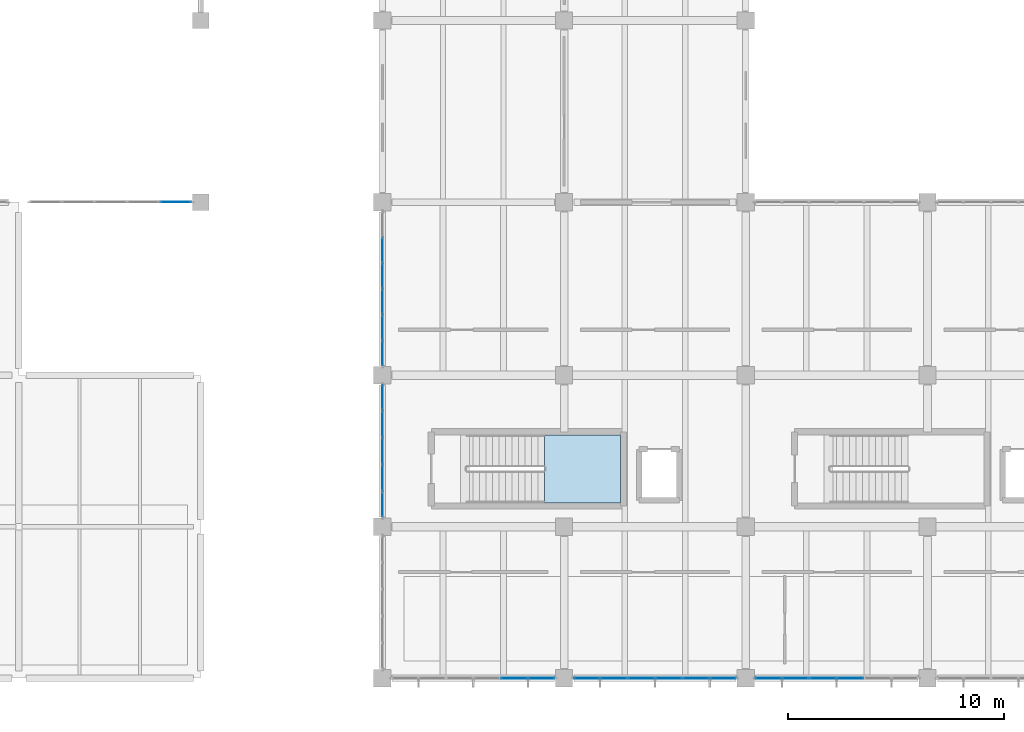
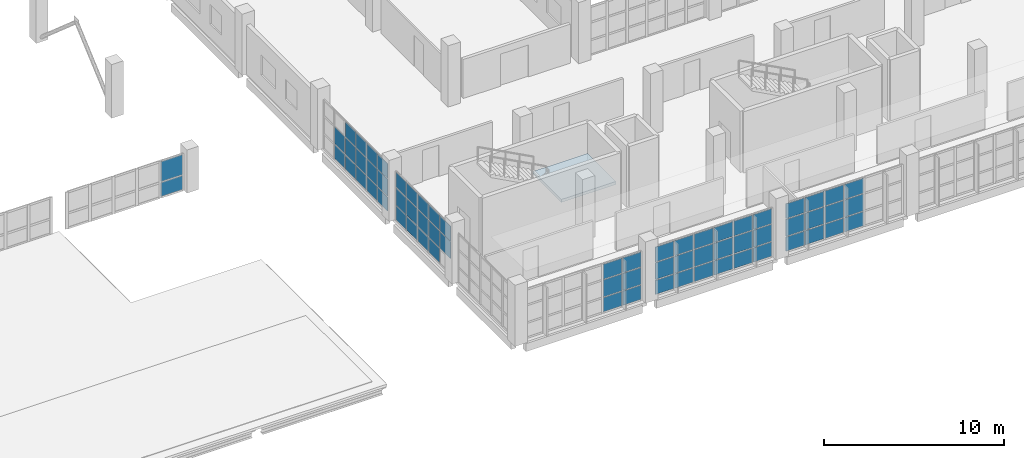
# One storey, part 121 of 177: 66 plates, 1 slab, 7 elements without a shape of their own.
"""IFC4 building model written with IfcOpenShell, lengths in metres."""

from ifc_helpers import new_model, si_unit, direction, frame, origin, origin_2d, place, context, subcontext, project, spatial, polyline, rectangle, outline, extrude, material, layer, layer_set, type_object, element, aggregate, save


model = new_model("IFC4")

# Units and contexts
model_context = context("Model", 3, precision=1e-05, world=origin(), true_north=direction((0.0, 1.0)))
body_context = subcontext(model_context, "Body", "Model", "MODEL_VIEW")
ifc_project = project(units=[si_unit("LENGTHUNIT", "METRE"), si_unit("AREAUNIT", "SQUARE_METRE"), si_unit("VOLUMEUNIT", "CUBIC_METRE"), si_unit("PLANEANGLEUNIT", "RADIAN"), si_unit("MASSUNIT", "GRAM", prefix="KILO"), si_unit("THERMODYNAMICTEMPERATUREUNIT", "KELVIN"), si_unit("POWERUNIT", "WATT")], contexts=[model_context])

# Site, building, storey
site_placement = place(None, origin())
site = spatial("IfcSite", under=ifc_project, at=site_placement, CompositionType="ELEMENT")
building_placement = place(site_placement, origin())
building = spatial("IfcBuilding", under=site, at=building_placement, Name="Mavoryth Pier Ferry Terminal", CompositionType="ELEMENT")
storey_placement = place(building_placement, frame((0.0, 0.0, 5.43994140625)))
storey = spatial("IfcBuildingStorey", under=building, at=storey_placement, Name="L01", CompositionType="ELEMENT", Elevation=5.43994140625)

# Curtain wall, plates
ifc_material_1 = material(Name="Anodised Aluminium and Solar-Control Low-E Glass", Category="aluminium")
ifc_layer_1 = layer(ifc_material_1, 0.179931640625, Name="Anodised Aluminium and Solar-Control Low-E Glass", Category="aluminium")
ifc_layer_set_1 = layer_set([ifc_layer_1], Name="Anodised Aluminium and Solar-Control Low-E Glass - CW-Concourse-Mod1400")
curtain_wall_type_1 = type_object("IfcCurtainWallType", Name="CW-Concourse-Mod1400", PredefinedType="USERDEFINED", material=ifc_layer_set_1)
curtain_wall_1_placement = place(storey_placement, origin())
curtain_wall_1 = element("IfcCurtainWall", 1, at=curtain_wall_1_placement, inside=storey, type_object=curtain_wall_type_1, Name="Curtain Wall CW-0133-048", ObjectType="UNITISED CURTAIN WALL", PredefinedType="USERDEFINED")
ifc_material_2 = material(Name="Solar-Control Low-E Laminated Double Glazing", Category="glass")
ifc_layer_2 = layer(ifc_material_2, 0.02392578125, Name="Solar-Control Low-E Laminated Double Glazing", Category="glass")
ifc_layer_set_2 = layer_set([ifc_layer_2], Name="Solar-Control Low-E Laminated Double Glazing - Panel-LowE-DGU-24")
plate_type_1 = type_object("IfcPlateType", Name="Panel-LowE-DGU-24", PredefinedType="CURTAIN_PANEL", material=ifc_layer_set_2)
plate_1_placement = place(storey_placement, frame((32.453857421875, 22.0, 0.06494140625), z_axis=(0.0, 0.0, 1.0), x_axis=(1.0, 0.0, 0.0)))
plate_1 = element("IfcPlate", 2, at=plate_1_placement, type_object=plate_type_1, Name="CW01 panel 5.1", PredefinedType="CURTAIN_PANEL", context=body_context, shape_type="SweptSolid", body=[
    extrude(rectangle(XDim=1.41259765625, YDim=0.02392578125, at=origin_2d()), origin(), (0.0, 0.0, 1.0), 0.952392578125),
])
plate_2_placement = place(storey_placement, frame((32.453857421875, 22.0, 1.08251953125), z_axis=(0.0, 0.0, 1.0), x_axis=(1.0, 0.0, 0.0)))
plate_2 = element("IfcPlate", 3, at=plate_2_placement, type_object=plate_type_1, Name="CW01 panel 5.2", PredefinedType="CURTAIN_PANEL", context=body_context, shape_type="SweptSolid", body=[
    extrude(rectangle(XDim=1.41259765625, YDim=0.02392578125, at=origin_2d()), origin(), (0.0, 0.0, 1.0), 1.362548828125),
])
aggregate(curtain_wall_1, [plate_1, plate_2])

ifc_layer_3 = layer(ifc_material_1, 0.239990234375, Name="Anodised Aluminium and Solar-Control Low-E Glass", Category="aluminium")
ifc_layer_set_3 = layer_set([ifc_layer_3], Name="Anodised Aluminium and Solar-Control Low-E Glass - CW-Operations-Mod1200")
curtain_wall_type_2 = type_object("IfcCurtainWallType", Name="CW-Operations-Mod1200", PredefinedType="USERDEFINED", material=ifc_layer_set_3)
curtain_wall_2_placement = place(storey_placement, origin())
curtain_wall_2 = element("IfcCurtainWall", 4, at=curtain_wall_2_placement, inside=storey, type_object=curtain_wall_type_2, Name="Curtain Wall CW-0122-121", ObjectType="UNITISED CURTAIN WALL", PredefinedType="USERDEFINED")
plate_3_placement = place(storey_placement, frame((42.0, 12.965087890625, 0.06005859375), z_axis=(0.0, 0.0, 1.0), x_axis=(0.0, -1.0, 0.0)))
plate_3 = element("IfcPlate", 5, at=plate_3_placement, type_object=plate_type_1, Name="CW06 panel 1.1", PredefinedType="CURTAIN_PANEL", context=body_context, shape_type="SweptSolid", body=[
    extrude(rectangle(XDim=1.14990234375, YDim=0.02392578125, at=origin_2d()), origin(), (0.0, 0.0, 1.0), 0.9599609375),
])
plate_4_placement = place(storey_placement, frame((42.0, 12.965087890625, 1.080078125), z_axis=(0.0, 0.0, 1.0), x_axis=(0.0, -1.0, 0.0)))
plate_4 = element("IfcPlate", 6, at=plate_4_placement, type_object=plate_type_1, Name="CW06 panel 1.2", PredefinedType="CURTAIN_PANEL", context=body_context, shape_type="SweptSolid", body=[
    extrude(rectangle(XDim=1.14990234375, YDim=0.02392578125, at=origin_2d()), origin(), (0.0, 0.0, 1.0), 1.139892578125),
])
plate_5_placement = place(storey_placement, frame((42.0, 12.965087890625, 2.280029296875), z_axis=(0.0, 0.0, 1.0), x_axis=(0.0, -1.0, 0.0)))
plate_5 = element("IfcPlate", 7, at=plate_5_placement, type_object=plate_type_1, Name="CW06 panel 1.3", PredefinedType="CURTAIN_PANEL", context=body_context, shape_type="SweptSolid", body=[
    extrude(rectangle(XDim=1.14990234375, YDim=0.02392578125, at=origin_2d()), origin(), (0.0, 0.0, 1.0), 1.0048828125),
])
plate_6_placement = place(storey_placement, frame((42.0, 11.739990234375, 0.06005859375), z_axis=(0.0, 0.0, 1.0), x_axis=(0.0, -1.0, 0.0)))
plate_6 = element("IfcPlate", 8, at=plate_6_placement, type_object=plate_type_1, Name="CW06 panel 2.1", PredefinedType="CURTAIN_PANEL", context=body_context, shape_type="SweptSolid", body=[
    extrude(rectangle(XDim=1.179931640625, YDim=0.02392578125, at=origin_2d()), origin(), (0.0, 0.0, 1.0), 0.9599609375),
])
plate_7_placement = place(storey_placement, frame((42.0, 11.739990234375, 1.080078125), z_axis=(0.0, 0.0, 1.0), x_axis=(0.0, -1.0, 0.0)))
plate_7 = element("IfcPlate", 9, at=plate_7_placement, type_object=plate_type_1, Name="CW06 panel 2.2", PredefinedType="CURTAIN_PANEL", context=body_context, shape_type="SweptSolid", body=[
    extrude(rectangle(XDim=1.179931640625, YDim=0.02392578125, at=origin_2d()), origin(), (0.0, 0.0, 1.0), 1.139892578125),
])
plate_8_placement = place(storey_placement, frame((42.0, 11.739990234375, 2.280029296875), z_axis=(0.0, 0.0, 1.0), x_axis=(0.0, -1.0, 0.0)))
plate_8 = element("IfcPlate", 10, at=plate_8_placement, type_object=plate_type_1, Name="CW06 panel 2.3", PredefinedType="CURTAIN_PANEL", context=body_context, shape_type="SweptSolid", body=[
    extrude(rectangle(XDim=1.179931640625, YDim=0.02392578125, at=origin_2d()), origin(), (0.0, 0.0, 1.0), 1.0048828125),
])
plate_9_placement = place(storey_placement, frame((42.0, 10.5, 0.06005859375), z_axis=(0.0, 0.0, 1.0), x_axis=(0.0, -1.0, 0.0)))
plate_9 = element("IfcPlate", 11, at=plate_9_placement, type_object=plate_type_1, Name="CW06 panel 3.1", PredefinedType="CURTAIN_PANEL", context=body_context, shape_type="SweptSolid", body=[
    extrude(rectangle(XDim=1.179931640625, YDim=0.02392578125, at=origin_2d()), origin(), (0.0, 0.0, 1.0), 0.9599609375),
])
plate_10_placement = place(storey_placement, frame((42.0, 10.5, 1.080078125), z_axis=(0.0, 0.0, 1.0), x_axis=(0.0, -1.0, 0.0)))
plate_10 = element("IfcPlate", 12, at=plate_10_placement, type_object=plate_type_1, Name="CW06 panel 3.2", PredefinedType="CURTAIN_PANEL", context=body_context, shape_type="SweptSolid", body=[
    extrude(rectangle(XDim=1.179931640625, YDim=0.02392578125, at=origin_2d()), origin(), (0.0, 0.0, 1.0), 1.139892578125),
])
plate_11_placement = place(storey_placement, frame((42.0, 10.5, 2.280029296875), z_axis=(0.0, 0.0, 1.0), x_axis=(0.0, -1.0, 0.0)))
plate_11 = element("IfcPlate", 13, at=plate_11_placement, type_object=plate_type_1, Name="CW06 panel 3.3", PredefinedType="CURTAIN_PANEL", context=body_context, shape_type="SweptSolid", body=[
    extrude(rectangle(XDim=1.179931640625, YDim=0.02392578125, at=origin_2d()), origin(), (0.0, 0.0, 1.0), 1.0048828125),
])
plate_12_placement = place(storey_placement, frame((42.0, 9.260009765625, 0.06005859375), z_axis=(0.0, 0.0, 1.0), x_axis=(0.0, -1.0, 0.0)))
plate_12 = element("IfcPlate", 14, at=plate_12_placement, type_object=plate_type_1, Name="CW06 panel 4.1", PredefinedType="CURTAIN_PANEL", context=body_context, shape_type="SweptSolid", body=[
    extrude(rectangle(XDim=1.179931640625, YDim=0.02392578125, at=origin_2d()), origin(), (0.0, 0.0, 1.0), 0.9599609375),
])
plate_13_placement = place(storey_placement, frame((42.0, 9.260009765625, 1.080078125), z_axis=(0.0, 0.0, 1.0), x_axis=(0.0, -1.0, 0.0)))
plate_13 = element("IfcPlate", 15, at=plate_13_placement, type_object=plate_type_1, Name="CW06 panel 4.2", PredefinedType="CURTAIN_PANEL", context=body_context, shape_type="SweptSolid", body=[
    extrude(rectangle(XDim=1.179931640625, YDim=0.02392578125, at=origin_2d()), origin(), (0.0, 0.0, 1.0), 1.139892578125),
])
plate_14_placement = place(storey_placement, frame((42.0, 9.260009765625, 2.280029296875), z_axis=(0.0, 0.0, 1.0), x_axis=(0.0, -1.0, 0.0)))
plate_14 = element("IfcPlate", 16, at=plate_14_placement, type_object=plate_type_1, Name="CW06 panel 4.3", PredefinedType="CURTAIN_PANEL", context=body_context, shape_type="SweptSolid", body=[
    extrude(rectangle(XDim=1.179931640625, YDim=0.02392578125, at=origin_2d()), origin(), (0.0, 0.0, 1.0), 1.0048828125),
])
plate_15_placement = place(storey_placement, frame((42.0, 8.034912109375, 1.080078125), z_axis=(0.0, 0.0, 1.0), x_axis=(0.0, -1.0, 0.0)))
plate_15 = element("IfcPlate", 17, at=plate_15_placement, type_object=plate_type_1, Name="CW06 panel 5.2", PredefinedType="CURTAIN_PANEL", context=body_context, shape_type="SweptSolid", body=[
    extrude(rectangle(XDim=1.14990234375, YDim=0.02392578125, at=origin_2d()), origin(), (0.0, 0.0, 1.0), 1.139892578125),
])
plate_16_placement = place(storey_placement, frame((42.0, 8.034912109375, 2.280029296875), z_axis=(0.0, 0.0, 1.0), x_axis=(0.0, -1.0, 0.0)))
plate_16 = element("IfcPlate", 18, at=plate_16_placement, type_object=plate_type_1, Name="CW06 panel 5.3", PredefinedType="CURTAIN_PANEL", context=body_context, shape_type="SweptSolid", body=[
    extrude(rectangle(XDim=1.14990234375, YDim=0.02392578125, at=origin_2d()), origin(), (0.0, 0.0, 1.0), 1.0048828125),
])
aggregate(curtain_wall_2, [plate_3, plate_4, plate_5, plate_6, plate_7, plate_8, plate_9, plate_10, plate_11, plate_12, plate_13, plate_14, plate_15, plate_16])

curtain_wall_3_placement = place(storey_placement, origin())
curtain_wall_3 = element("IfcCurtainWall", 19, at=curtain_wall_3_placement, inside=storey, type_object=curtain_wall_type_2, Name="Curtain Wall CW-0122-122", ObjectType="UNITISED CURTAIN WALL", PredefinedType="USERDEFINED")
plate_17_placement = place(storey_placement, frame((42.0, 19.800048828125, 0.06005859375), z_axis=(0.0, 0.0, 1.0), x_axis=(0.0, -1.0, 0.0)))
plate_17 = element("IfcPlate", 20, at=plate_17_placement, type_object=plate_type_1, Name="CW06 panel 2.1", PredefinedType="CURTAIN_PANEL", context=body_context, shape_type="SweptSolid", body=[
    extrude(rectangle(XDim=1.139892578125, YDim=0.02392578125, at=origin_2d()), origin(), (0.0, 0.0, 1.0), 0.9599609375),
])
plate_18_placement = place(storey_placement, frame((42.0, 19.800048828125, 1.080078125), z_axis=(0.0, 0.0, 1.0), x_axis=(0.0, -1.0, 0.0)))
plate_18 = element("IfcPlate", 21, at=plate_18_placement, type_object=plate_type_1, Name="CW06 panel 2.2", PredefinedType="CURTAIN_PANEL", context=body_context, shape_type="SweptSolid", body=[
    extrude(rectangle(XDim=1.139892578125, YDim=0.02392578125, at=origin_2d()), origin(), (0.0, 0.0, 1.0), 1.139892578125),
])
plate_19_placement = place(storey_placement, frame((42.0, 18.60009765625, 0.06005859375), z_axis=(0.0, 0.0, 1.0), x_axis=(0.0, -1.0, 0.0)))
plate_19 = element("IfcPlate", 22, at=plate_19_placement, type_object=plate_type_1, Name="CW06 panel 3.1", PredefinedType="CURTAIN_PANEL", context=body_context, shape_type="SweptSolid", body=[
    extrude(rectangle(XDim=1.139892578125, YDim=0.02392578125, at=origin_2d()), origin(), (0.0, 0.0, 1.0), 0.9599609375),
])
plate_20_placement = place(storey_placement, frame((42.0, 18.60009765625, 1.080078125), z_axis=(0.0, 0.0, 1.0), x_axis=(0.0, -1.0, 0.0)))
plate_20 = element("IfcPlate", 23, at=plate_20_placement, type_object=plate_type_1, Name="CW06 panel 3.2", PredefinedType="CURTAIN_PANEL", context=body_context, shape_type="SweptSolid", body=[
    extrude(rectangle(XDim=1.139892578125, YDim=0.02392578125, at=origin_2d()), origin(), (0.0, 0.0, 1.0), 1.139892578125),
])
plate_21_placement = place(storey_placement, frame((42.0, 18.60009765625, 2.280029296875), z_axis=(0.0, 0.0, 1.0), x_axis=(0.0, -1.0, 0.0)))
plate_21 = element("IfcPlate", 24, at=plate_21_placement, type_object=plate_type_1, Name="CW06 panel 3.3", PredefinedType="CURTAIN_PANEL", context=body_context, shape_type="SweptSolid", body=[
    extrude(rectangle(XDim=1.139892578125, YDim=0.02392578125, at=origin_2d()), origin(), (0.0, 0.0, 1.0), 1.0048828125),
])
plate_22_placement = place(storey_placement, frame((42.0, 17.39990234375, 0.06005859375), z_axis=(0.0, 0.0, 1.0), x_axis=(0.0, -1.0, 0.0)))
plate_22 = element("IfcPlate", 25, at=plate_22_placement, type_object=plate_type_1, Name="CW06 panel 4.1", PredefinedType="CURTAIN_PANEL", context=body_context, shape_type="SweptSolid", body=[
    extrude(rectangle(XDim=1.139892578125, YDim=0.02392578125, at=origin_2d()), origin(), (0.0, 0.0, 1.0), 0.9599609375),
])
plate_23_placement = place(storey_placement, frame((42.0, 17.39990234375, 1.080078125), z_axis=(0.0, 0.0, 1.0), x_axis=(0.0, -1.0, 0.0)))
plate_23 = element("IfcPlate", 26, at=plate_23_placement, type_object=plate_type_1, Name="CW06 panel 4.2", PredefinedType="CURTAIN_PANEL", context=body_context, shape_type="SweptSolid", body=[
    extrude(rectangle(XDim=1.139892578125, YDim=0.02392578125, at=origin_2d()), origin(), (0.0, 0.0, 1.0), 1.139892578125),
])
plate_24_placement = place(storey_placement, frame((42.0, 17.39990234375, 2.280029296875), z_axis=(0.0, 0.0, 1.0), x_axis=(0.0, -1.0, 0.0)))
plate_24 = element("IfcPlate", 27, at=plate_24_placement, type_object=plate_type_1, Name="CW06 panel 4.3", PredefinedType="CURTAIN_PANEL", context=body_context, shape_type="SweptSolid", body=[
    extrude(rectangle(XDim=1.139892578125, YDim=0.02392578125, at=origin_2d()), origin(), (0.0, 0.0, 1.0), 1.0048828125),
])
plate_25_placement = place(storey_placement, frame((42.0, 16.199951171875, 0.06005859375), z_axis=(0.0, 0.0, 1.0), x_axis=(0.0, -1.0, 0.0)))
plate_25 = element("IfcPlate", 28, at=plate_25_placement, type_object=plate_type_1, Name="CW06 panel 5.1", PredefinedType="CURTAIN_PANEL", context=body_context, shape_type="SweptSolid", body=[
    extrude(rectangle(XDim=1.139892578125, YDim=0.02392578125, at=origin_2d()), origin(), (0.0, 0.0, 1.0), 0.9599609375),
])
plate_26_placement = place(storey_placement, frame((42.0, 16.199951171875, 1.080078125), z_axis=(0.0, 0.0, 1.0), x_axis=(0.0, -1.0, 0.0)))
plate_26 = element("IfcPlate", 29, at=plate_26_placement, type_object=plate_type_1, Name="CW06 panel 5.2", PredefinedType="CURTAIN_PANEL", context=body_context, shape_type="SweptSolid", body=[
    extrude(rectangle(XDim=1.139892578125, YDim=0.02392578125, at=origin_2d()), origin(), (0.0, 0.0, 1.0), 1.139892578125),
])
plate_27_placement = place(storey_placement, frame((42.0, 16.199951171875, 2.280029296875), z_axis=(0.0, 0.0, 1.0), x_axis=(0.0, -1.0, 0.0)))
plate_27 = element("IfcPlate", 30, at=plate_27_placement, type_object=plate_type_1, Name="CW06 panel 5.3", PredefinedType="CURTAIN_PANEL", context=body_context, shape_type="SweptSolid", body=[
    extrude(rectangle(XDim=1.139892578125, YDim=0.02392578125, at=origin_2d()), origin(), (0.0, 0.0, 1.0), 1.0048828125),
])
plate_28_placement = place(storey_placement, frame((42.0, 15.014892578125, 0.06005859375), z_axis=(0.0, 0.0, 1.0), x_axis=(0.0, -1.0, 0.0)))
plate_28 = element("IfcPlate", 31, at=plate_28_placement, type_object=plate_type_1, Name="CW06 panel 6.1", PredefinedType="CURTAIN_PANEL", context=body_context, shape_type="SweptSolid", body=[
    extrude(rectangle(XDim=1.110107421875, YDim=0.02392578125, at=origin_2d()), origin(), (0.0, 0.0, 1.0), 0.9599609375),
])
plate_29_placement = place(storey_placement, frame((42.0, 15.014892578125, 1.080078125), z_axis=(0.0, 0.0, 1.0), x_axis=(0.0, -1.0, 0.0)))
plate_29 = element("IfcPlate", 32, at=plate_29_placement, type_object=plate_type_1, Name="CW06 panel 6.2", PredefinedType="CURTAIN_PANEL", context=body_context, shape_type="SweptSolid", body=[
    extrude(rectangle(XDim=1.110107421875, YDim=0.02392578125, at=origin_2d()), origin(), (0.0, 0.0, 1.0), 1.139892578125),
])
plate_30_placement = place(storey_placement, frame((42.0, 15.014892578125, 2.280029296875), z_axis=(0.0, 0.0, 1.0), x_axis=(0.0, -1.0, 0.0)))
plate_30 = element("IfcPlate", 33, at=plate_30_placement, type_object=plate_type_1, Name="CW06 panel 6.3", PredefinedType="CURTAIN_PANEL", context=body_context, shape_type="SweptSolid", body=[
    extrude(rectangle(XDim=1.110107421875, YDim=0.02392578125, at=origin_2d()), origin(), (0.0, 0.0, 1.0), 1.0048828125),
])
aggregate(curtain_wall_3, [plate_17, plate_18, plate_19, plate_20, plate_21, plate_22, plate_23, plate_24, plate_25, plate_26, plate_27, plate_28, plate_29, plate_30])

curtain_wall_4_placement = place(storey_placement, origin())
curtain_wall_4 = element("IfcCurtainWall", 34, at=curtain_wall_4_placement, inside=storey, type_object=curtain_wall_type_2, Name="Curtain Wall CW-0122-110", ObjectType="UNITISED CURTAIN WALL", PredefinedType="USERDEFINED")
ifc_material_3 = material(Name="Insulated Bronze-Anodised Aluminium Spandrel Panel", Category="aluminium")
ifc_layer_4 = layer(ifc_material_3, 0.0439453125, Name="Insulated Bronze-Anodised Aluminium Spandrel Panel", Category="aluminium")
ifc_layer_set_4 = layer_set([ifc_layer_4], Name="Insulated Bronze-Anodised Aluminium Spandrel Panel - Panel-Spandrel-Alum-44")
plate_type_2 = type_object("IfcPlateType", Name="Panel-Spandrel-Alum-44", PredefinedType="CURTAIN_PANEL", material=ifc_layer_set_4)
plate_31_placement = place(storey_placement, frame((48.10009765625, 0.0, 0.06005859375), z_axis=(0.0, 0.0, 1.0), x_axis=(1.0, 0.0, 0.0)))
plate_31 = element("IfcPlate", 35, at=plate_31_placement, type_object=plate_type_2, Name="CW06 panel 5.1", PredefinedType="CURTAIN_PANEL", context=body_context, shape_type="SweptSolid", body=[
    extrude(rectangle(XDim=1.206787109375, YDim=0.0439453125, at=origin_2d()), origin(), (0.0, 0.0, 1.0), 0.9599609375),
])
plate_32_placement = place(storey_placement, frame((48.10009765625, 0.0, 1.080078125), z_axis=(0.0, 0.0, 1.0), x_axis=(1.0, 0.0, 0.0)))
plate_32 = element("IfcPlate", 36, at=plate_32_placement, type_object=plate_type_2, Name="CW06 panel 5.2", PredefinedType="CURTAIN_PANEL", context=body_context, shape_type="SweptSolid", body=[
    extrude(rectangle(XDim=1.206787109375, YDim=0.0439453125, at=origin_2d()), origin(), (0.0, 0.0, 1.0), 1.139892578125),
])
plate_33_placement = place(storey_placement, frame((48.10009765625, 0.0, 2.280029296875), z_axis=(0.0, 0.0, 1.0), x_axis=(1.0, 0.0, 0.0)))
plate_33 = element("IfcPlate", 37, at=plate_33_placement, type_object=plate_type_2, Name="CW06 panel 5.3", PredefinedType="CURTAIN_PANEL", context=body_context, shape_type="SweptSolid", body=[
    extrude(rectangle(XDim=1.206787109375, YDim=0.0439453125, at=origin_2d()), origin(), (0.0, 0.0, 1.0), 1.0048828125),
])
plate_34_placement = place(storey_placement, frame((49.3515625, 0.0, 0.06005859375), z_axis=(0.0, 0.0, 1.0), x_axis=(1.0, 0.0, 0.0)))
plate_34 = element("IfcPlate", 38, at=plate_34_placement, type_object=plate_type_2, Name="CW06 panel 6.1", PredefinedType="CURTAIN_PANEL", context=body_context, shape_type="SweptSolid", body=[
    extrude(rectangle(XDim=1.1767578125, YDim=0.0439453125, at=origin_2d()), origin(), (0.0, 0.0, 1.0), 0.9599609375),
])
plate_35_placement = place(storey_placement, frame((49.3515625, 0.0, 1.080078125), z_axis=(0.0, 0.0, 1.0), x_axis=(1.0, 0.0, 0.0)))
plate_35 = element("IfcPlate", 39, at=plate_35_placement, type_object=plate_type_2, Name="CW06 panel 6.2", PredefinedType="CURTAIN_PANEL", context=body_context, shape_type="SweptSolid", body=[
    extrude(rectangle(XDim=1.1767578125, YDim=0.0439453125, at=origin_2d()), origin(), (0.0, 0.0, 1.0), 1.139892578125),
])
plate_36_placement = place(storey_placement, frame((49.3515625, 0.0, 2.280029296875), z_axis=(0.0, 0.0, 1.0), x_axis=(1.0, 0.0, 0.0)))
plate_36 = element("IfcPlate", 40, at=plate_36_placement, type_object=plate_type_2, Name="CW06 panel 6.3", PredefinedType="CURTAIN_PANEL", context=body_context, shape_type="SweptSolid", body=[
    extrude(rectangle(XDim=1.1767578125, YDim=0.0439453125, at=origin_2d()), origin(), (0.0, 0.0, 1.0), 1.0048828125),
])
aggregate(curtain_wall_4, [plate_31, plate_32, plate_33, plate_34, plate_35, plate_36])

curtain_wall_5_placement = place(storey_placement, origin())
curtain_wall_5 = element("IfcCurtainWall", 41, at=curtain_wall_5_placement, inside=storey, type_object=curtain_wall_type_2, Name="Curtain Wall CW-0122-111", ObjectType="UNITISED CURTAIN WALL", PredefinedType="USERDEFINED")
plate_37_placement = place(storey_placement, frame((51.4482421875, 0.0, 0.06005859375), z_axis=(0.0, 0.0, 1.0), x_axis=(1.0, 0.0, 0.0)))
plate_37 = element("IfcPlate", 42, at=plate_37_placement, type_object=plate_type_2, Name="CW06 panel 1.1", PredefinedType="CURTAIN_PANEL", context=body_context, shape_type="SweptSolid", body=[
    extrude(rectangle(XDim=1.1767578125, YDim=0.0439453125, at=origin_2d()), origin(), (0.0, 0.0, 1.0), 0.9599609375),
])
plate_38_placement = place(storey_placement, frame((51.4482421875, 0.0, 1.080078125), z_axis=(0.0, 0.0, 1.0), x_axis=(1.0, 0.0, 0.0)))
plate_38 = element("IfcPlate", 43, at=plate_38_placement, type_object=plate_type_2, Name="CW06 panel 1.2", PredefinedType="CURTAIN_PANEL", context=body_context, shape_type="SweptSolid", body=[
    extrude(rectangle(XDim=1.1767578125, YDim=0.0439453125, at=origin_2d()), origin(), (0.0, 0.0, 1.0), 1.139892578125),
])
plate_39_placement = place(storey_placement, frame((51.4482421875, 0.0, 2.280029296875), z_axis=(0.0, 0.0, 1.0), x_axis=(1.0, 0.0, 0.0)))
plate_39 = element("IfcPlate", 44, at=plate_39_placement, type_object=plate_type_2, Name="CW06 panel 1.3", PredefinedType="CURTAIN_PANEL", context=body_context, shape_type="SweptSolid", body=[
    extrude(rectangle(XDim=1.1767578125, YDim=0.0439453125, at=origin_2d()), origin(), (0.0, 0.0, 1.0), 1.0048828125),
])
plate_40_placement = place(storey_placement, frame((52.699951171875, 0.0, 0.06005859375), z_axis=(0.0, 0.0, 1.0), x_axis=(1.0, 0.0, 0.0)))
plate_40 = element("IfcPlate", 45, at=plate_40_placement, type_object=plate_type_2, Name="CW06 panel 2.1", PredefinedType="CURTAIN_PANEL", context=body_context, shape_type="SweptSolid", body=[
    extrude(rectangle(XDim=1.206787109375, YDim=0.0439453125, at=origin_2d()), origin(), (0.0, 0.0, 1.0), 0.9599609375),
])
plate_41_placement = place(storey_placement, frame((52.699951171875, 0.0, 1.080078125), z_axis=(0.0, 0.0, 1.0), x_axis=(1.0, 0.0, 0.0)))
plate_41 = element("IfcPlate", 46, at=plate_41_placement, type_object=plate_type_2, Name="CW06 panel 2.2", PredefinedType="CURTAIN_PANEL", context=body_context, shape_type="SweptSolid", body=[
    extrude(rectangle(XDim=1.206787109375, YDim=0.0439453125, at=origin_2d()), origin(), (0.0, 0.0, 1.0), 1.139892578125),
])
plate_42_placement = place(storey_placement, frame((52.699951171875, 0.0, 2.280029296875), z_axis=(0.0, 0.0, 1.0), x_axis=(1.0, 0.0, 0.0)))
plate_42 = element("IfcPlate", 47, at=plate_42_placement, type_object=plate_type_2, Name="CW06 panel 2.3", PredefinedType="CURTAIN_PANEL", context=body_context, shape_type="SweptSolid", body=[
    extrude(rectangle(XDim=1.206787109375, YDim=0.0439453125, at=origin_2d()), origin(), (0.0, 0.0, 1.0), 1.0048828125),
])
plate_43_placement = place(storey_placement, frame((53.966552734375, 0.0, 0.06005859375), z_axis=(0.0, 0.0, 1.0), x_axis=(1.0, 0.0, 0.0)))
plate_43 = element("IfcPlate", 48, at=plate_43_placement, type_object=plate_type_2, Name="CW06 panel 3.1", PredefinedType="CURTAIN_PANEL", context=body_context, shape_type="SweptSolid", body=[
    extrude(rectangle(XDim=1.206787109375, YDim=0.0439453125, at=origin_2d()), origin(), (0.0, 0.0, 1.0), 0.9599609375),
])
plate_44_placement = place(storey_placement, frame((53.966552734375, 0.0, 1.080078125), z_axis=(0.0, 0.0, 1.0), x_axis=(1.0, 0.0, 0.0)))
plate_44 = element("IfcPlate", 49, at=plate_44_placement, type_object=plate_type_2, Name="CW06 panel 3.2", PredefinedType="CURTAIN_PANEL", context=body_context, shape_type="SweptSolid", body=[
    extrude(rectangle(XDim=1.206787109375, YDim=0.0439453125, at=origin_2d()), origin(), (0.0, 0.0, 1.0), 1.139892578125),
])
plate_45_placement = place(storey_placement, frame((53.966552734375, 0.0, 2.280029296875), z_axis=(0.0, 0.0, 1.0), x_axis=(1.0, 0.0, 0.0)))
plate_45 = element("IfcPlate", 50, at=plate_45_placement, type_object=plate_type_2, Name="CW06 panel 3.3", PredefinedType="CURTAIN_PANEL", context=body_context, shape_type="SweptSolid", body=[
    extrude(rectangle(XDim=1.206787109375, YDim=0.0439453125, at=origin_2d()), origin(), (0.0, 0.0, 1.0), 1.0048828125),
])
plate_46_placement = place(storey_placement, frame((55.2333984375, 0.0, 0.06005859375), z_axis=(0.0, 0.0, 1.0), x_axis=(1.0, 0.0, 0.0)))
plate_46 = element("IfcPlate", 51, at=plate_46_placement, type_object=plate_type_2, Name="CW06 panel 4.1", PredefinedType="CURTAIN_PANEL", context=body_context, shape_type="SweptSolid", body=[
    extrude(rectangle(XDim=1.206787109375, YDim=0.0439453125, at=origin_2d()), origin(), (0.0, 0.0, 1.0), 0.9599609375),
])
plate_47_placement = place(storey_placement, frame((55.2333984375, 0.0, 1.080078125), z_axis=(0.0, 0.0, 1.0), x_axis=(1.0, 0.0, 0.0)))
plate_47 = element("IfcPlate", 52, at=plate_47_placement, type_object=plate_type_2, Name="CW06 panel 4.2", PredefinedType="CURTAIN_PANEL", context=body_context, shape_type="SweptSolid", body=[
    extrude(rectangle(XDim=1.206787109375, YDim=0.0439453125, at=origin_2d()), origin(), (0.0, 0.0, 1.0), 1.139892578125),
])
plate_48_placement = place(storey_placement, frame((55.2333984375, 0.0, 2.280029296875), z_axis=(0.0, 0.0, 1.0), x_axis=(1.0, 0.0, 0.0)))
plate_48 = element("IfcPlate", 53, at=plate_48_placement, type_object=plate_type_2, Name="CW06 panel 4.3", PredefinedType="CURTAIN_PANEL", context=body_context, shape_type="SweptSolid", body=[
    extrude(rectangle(XDim=1.206787109375, YDim=0.0439453125, at=origin_2d()), origin(), (0.0, 0.0, 1.0), 1.0048828125),
])
plate_49_placement = place(storey_placement, frame((56.5, 0.0, 0.06005859375), z_axis=(0.0, 0.0, 1.0), x_axis=(1.0, 0.0, 0.0)))
plate_49 = element("IfcPlate", 54, at=plate_49_placement, type_object=plate_type_2, Name="CW06 panel 5.1", PredefinedType="CURTAIN_PANEL", context=body_context, shape_type="SweptSolid", body=[
    extrude(rectangle(XDim=1.206787109375, YDim=0.0439453125, at=origin_2d()), origin(), (0.0, 0.0, 1.0), 0.9599609375),
])
plate_50_placement = place(storey_placement, frame((56.5, 0.0, 1.080078125), z_axis=(0.0, 0.0, 1.0), x_axis=(1.0, 0.0, 0.0)))
plate_50 = element("IfcPlate", 55, at=plate_50_placement, type_object=plate_type_2, Name="CW06 panel 5.2", PredefinedType="CURTAIN_PANEL", context=body_context, shape_type="SweptSolid", body=[
    extrude(rectangle(XDim=1.206787109375, YDim=0.0439453125, at=origin_2d()), origin(), (0.0, 0.0, 1.0), 1.139892578125),
])
plate_51_placement = place(storey_placement, frame((56.5, 0.0, 2.280029296875), z_axis=(0.0, 0.0, 1.0), x_axis=(1.0, 0.0, 0.0)))
plate_51 = element("IfcPlate", 56, at=plate_51_placement, type_object=plate_type_2, Name="CW06 panel 5.3", PredefinedType="CURTAIN_PANEL", context=body_context, shape_type="SweptSolid", body=[
    extrude(rectangle(XDim=1.206787109375, YDim=0.0439453125, at=origin_2d()), origin(), (0.0, 0.0, 1.0), 1.0048828125),
])
plate_52_placement = place(storey_placement, frame((57.751708984375, 0.0, 0.06005859375), z_axis=(0.0, 0.0, 1.0), x_axis=(1.0, 0.0, 0.0)))
plate_52 = element("IfcPlate", 57, at=plate_52_placement, type_object=plate_type_2, Name="CW06 panel 6.1", PredefinedType="CURTAIN_PANEL", context=body_context, shape_type="SweptSolid", body=[
    extrude(rectangle(XDim=1.1767578125, YDim=0.0439453125, at=origin_2d()), origin(), (0.0, 0.0, 1.0), 0.9599609375),
])
plate_53_placement = place(storey_placement, frame((57.751708984375, 0.0, 1.080078125), z_axis=(0.0, 0.0, 1.0), x_axis=(1.0, 0.0, 0.0)))
plate_53 = element("IfcPlate", 58, at=plate_53_placement, type_object=plate_type_2, Name="CW06 panel 6.2", PredefinedType="CURTAIN_PANEL", context=body_context, shape_type="SweptSolid", body=[
    extrude(rectangle(XDim=1.1767578125, YDim=0.0439453125, at=origin_2d()), origin(), (0.0, 0.0, 1.0), 1.139892578125),
])
plate_54_placement = place(storey_placement, frame((57.751708984375, 0.0, 2.280029296875), z_axis=(0.0, 0.0, 1.0), x_axis=(1.0, 0.0, 0.0)))
plate_54 = element("IfcPlate", 59, at=plate_54_placement, type_object=plate_type_2, Name="CW06 panel 6.3", PredefinedType="CURTAIN_PANEL", context=body_context, shape_type="SweptSolid", body=[
    extrude(rectangle(XDim=1.1767578125, YDim=0.0439453125, at=origin_2d()), origin(), (0.0, 0.0, 1.0), 1.0048828125),
])
aggregate(curtain_wall_5, [plate_37, plate_38, plate_39, plate_40, plate_41, plate_42, plate_43, plate_44, plate_45, plate_46, plate_47, plate_48, plate_49, plate_50, plate_51, plate_52, plate_53, plate_54])

curtain_wall_6_placement = place(storey_placement, origin())
curtain_wall_6 = element("IfcCurtainWall", 60, at=curtain_wall_6_placement, inside=storey, type_object=curtain_wall_type_2, Name="Curtain Wall CW-0122-112", ObjectType="UNITISED CURTAIN WALL", PredefinedType="USERDEFINED")
plate_55_placement = place(storey_placement, frame((59.848388671875, 0.0, 0.06005859375), z_axis=(0.0, 0.0, 1.0), x_axis=(1.0, 0.0, 0.0)))
plate_55 = element("IfcPlate", 61, at=plate_55_placement, type_object=plate_type_2, Name="CW06 panel 1.1", PredefinedType="CURTAIN_PANEL", context=body_context, shape_type="SweptSolid", body=[
    extrude(rectangle(XDim=1.1767578125, YDim=0.0439453125, at=origin_2d()), origin(), (0.0, 0.0, 1.0), 0.9599609375),
])
plate_56_placement = place(storey_placement, frame((59.848388671875, 0.0, 1.080078125), z_axis=(0.0, 0.0, 1.0), x_axis=(1.0, 0.0, 0.0)))
plate_56 = element("IfcPlate", 62, at=plate_56_placement, type_object=plate_type_2, Name="CW06 panel 1.2", PredefinedType="CURTAIN_PANEL", context=body_context, shape_type="SweptSolid", body=[
    extrude(rectangle(XDim=1.1767578125, YDim=0.0439453125, at=origin_2d()), origin(), (0.0, 0.0, 1.0), 1.139892578125),
])
plate_57_placement = place(storey_placement, frame((59.848388671875, 0.0, 2.280029296875), z_axis=(0.0, 0.0, 1.0), x_axis=(1.0, 0.0, 0.0)))
plate_57 = element("IfcPlate", 63, at=plate_57_placement, type_object=plate_type_2, Name="CW06 panel 1.3", PredefinedType="CURTAIN_PANEL", context=body_context, shape_type="SweptSolid", body=[
    extrude(rectangle(XDim=1.1767578125, YDim=0.0439453125, at=origin_2d()), origin(), (0.0, 0.0, 1.0), 1.0048828125),
])
plate_58_placement = place(storey_placement, frame((61.10009765625, 0.0, 0.06005859375), z_axis=(0.0, 0.0, 1.0), x_axis=(1.0, 0.0, 0.0)))
plate_58 = element("IfcPlate", 64, at=plate_58_placement, type_object=plate_type_2, Name="CW06 panel 2.1", PredefinedType="CURTAIN_PANEL", context=body_context, shape_type="SweptSolid", body=[
    extrude(rectangle(XDim=1.206787109375, YDim=0.0439453125, at=origin_2d()), origin(), (0.0, 0.0, 1.0), 0.9599609375),
])
plate_59_placement = place(storey_placement, frame((61.10009765625, 0.0, 1.080078125), z_axis=(0.0, 0.0, 1.0), x_axis=(1.0, 0.0, 0.0)))
plate_59 = element("IfcPlate", 65, at=plate_59_placement, type_object=plate_type_2, Name="CW06 panel 2.2", PredefinedType="CURTAIN_PANEL", context=body_context, shape_type="SweptSolid", body=[
    extrude(rectangle(XDim=1.206787109375, YDim=0.0439453125, at=origin_2d()), origin(), (0.0, 0.0, 1.0), 1.139892578125),
])
plate_60_placement = place(storey_placement, frame((61.10009765625, 0.0, 2.280029296875), z_axis=(0.0, 0.0, 1.0), x_axis=(1.0, 0.0, 0.0)))
plate_60 = element("IfcPlate", 66, at=plate_60_placement, type_object=plate_type_2, Name="CW06 panel 2.3", PredefinedType="CURTAIN_PANEL", context=body_context, shape_type="SweptSolid", body=[
    extrude(rectangle(XDim=1.206787109375, YDim=0.0439453125, at=origin_2d()), origin(), (0.0, 0.0, 1.0), 1.0048828125),
])
plate_61_placement = place(storey_placement, frame((62.36669921875, 0.0, 0.06005859375), z_axis=(0.0, 0.0, 1.0), x_axis=(1.0, 0.0, 0.0)))
plate_61 = element("IfcPlate", 67, at=plate_61_placement, type_object=plate_type_2, Name="CW06 panel 3.1", PredefinedType="CURTAIN_PANEL", context=body_context, shape_type="SweptSolid", body=[
    extrude(rectangle(XDim=1.206787109375, YDim=0.0439453125, at=origin_2d()), origin(), (0.0, 0.0, 1.0), 0.9599609375),
])
plate_62_placement = place(storey_placement, frame((62.36669921875, 0.0, 1.080078125), z_axis=(0.0, 0.0, 1.0), x_axis=(1.0, 0.0, 0.0)))
plate_62 = element("IfcPlate", 68, at=plate_62_placement, type_object=plate_type_2, Name="CW06 panel 3.2", PredefinedType="CURTAIN_PANEL", context=body_context, shape_type="SweptSolid", body=[
    extrude(rectangle(XDim=1.206787109375, YDim=0.0439453125, at=origin_2d()), origin(), (0.0, 0.0, 1.0), 1.139892578125),
])
plate_63_placement = place(storey_placement, frame((62.36669921875, 0.0, 2.280029296875), z_axis=(0.0, 0.0, 1.0), x_axis=(1.0, 0.0, 0.0)))
plate_63 = element("IfcPlate", 69, at=plate_63_placement, type_object=plate_type_2, Name="CW06 panel 3.3", PredefinedType="CURTAIN_PANEL", context=body_context, shape_type="SweptSolid", body=[
    extrude(rectangle(XDim=1.206787109375, YDim=0.0439453125, at=origin_2d()), origin(), (0.0, 0.0, 1.0), 1.0048828125),
])
plate_64_placement = place(storey_placement, frame((63.63330078125, 0.0, 0.06005859375), z_axis=(0.0, 0.0, 1.0), x_axis=(1.0, 0.0, 0.0)))
plate_64 = element("IfcPlate", 70, at=plate_64_placement, type_object=plate_type_2, Name="CW06 panel 4.1", PredefinedType="CURTAIN_PANEL", context=body_context, shape_type="SweptSolid", body=[
    extrude(rectangle(XDim=1.206787109375, YDim=0.0439453125, at=origin_2d()), origin(), (0.0, 0.0, 1.0), 0.9599609375),
])
plate_65_placement = place(storey_placement, frame((63.63330078125, 0.0, 1.080078125), z_axis=(0.0, 0.0, 1.0), x_axis=(1.0, 0.0, 0.0)))
plate_65 = element("IfcPlate", 71, at=plate_65_placement, type_object=plate_type_2, Name="CW06 panel 4.2", PredefinedType="CURTAIN_PANEL", context=body_context, shape_type="SweptSolid", body=[
    extrude(rectangle(XDim=1.206787109375, YDim=0.0439453125, at=origin_2d()), origin(), (0.0, 0.0, 1.0), 1.139892578125),
])
plate_66_placement = place(storey_placement, frame((63.63330078125, 0.0, 2.280029296875), z_axis=(0.0, 0.0, 1.0), x_axis=(1.0, 0.0, 0.0)))
plate_66 = element("IfcPlate", 72, at=plate_66_placement, type_object=plate_type_2, Name="CW06 panel 4.3", PredefinedType="CURTAIN_PANEL", context=body_context, shape_type="SweptSolid", body=[
    extrude(rectangle(XDim=1.206787109375, YDim=0.0439453125, at=origin_2d()), origin(), (0.0, 0.0, 1.0), 1.0048828125),
])
aggregate(curtain_wall_6, [plate_55, plate_56, plate_57, plate_58, plate_59, plate_60, plate_61, plate_62, plate_63, plate_64, plate_65, plate_66])

# Stair, slab
ifc_material_4 = material(Name="Concrete C35/45", Category="concrete")
stair_type = type_object("IfcStairType", Name="Stair-Core-W1500", PredefinedType="TWO_STRAIGHT_RUN_STAIR", material=ifc_material_4)
stair_placement = place(storey_placement, origin())
stair = element("IfcStair", 73, at=stair_placement, inside=storey, type_object=stair_type, Name="L01 Core C5A Stair", PredefinedType="TWO_STRAIGHT_RUN_STAIR")
ifc_layer_5 = layer(ifc_material_4, 0.199951171875, Name="Concrete C35/45", Category="concrete")
ifc_layer_set_5 = layer_set([ifc_layer_5], Name="Concrete C35/45 - Slab-Landing-RC-200")
slab_type = type_object("IfcSlabType", Name="Slab-Landing-RC-200", PredefinedType="LANDING", material=ifc_layer_set_5)
slab_placement = place(storey_placement, frame((0.0, 0.0, 1.880126953125)))
slab = element("IfcSlab", 74, at=slab_placement, type_object=slab_type, Name="ST11 landing 1", PredefinedType="LANDING", context=body_context, shape_type="SweptSolid", body=[
    extrude(outline(polyline([(49.5, 8.10009765625), (53.0, 8.10009765625), (53.0, 11.25), (49.5, 11.25), (49.5, 8.10009765625)])), origin(), (0.0, 0.0, 1.0), 0.199951171875),
])
aggregate(stair, [slab])

save(model, "model.ifc")
